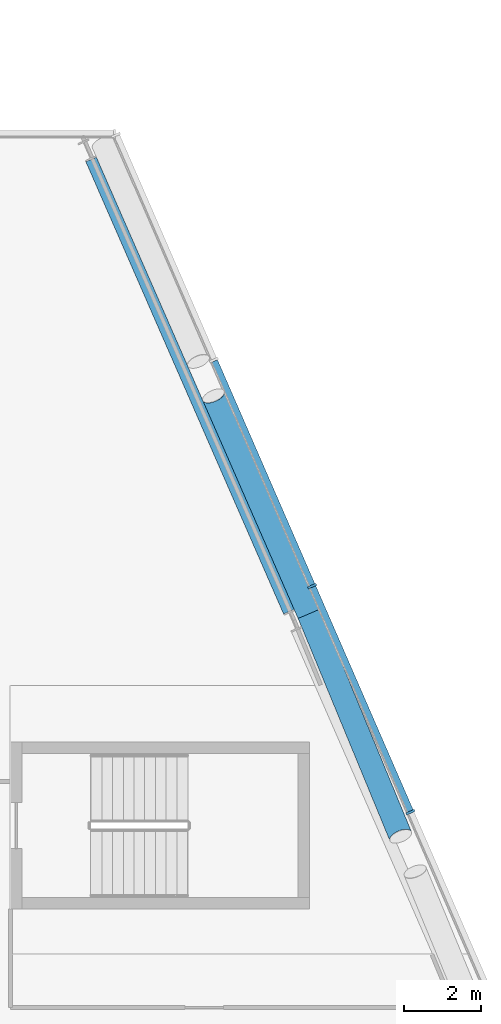
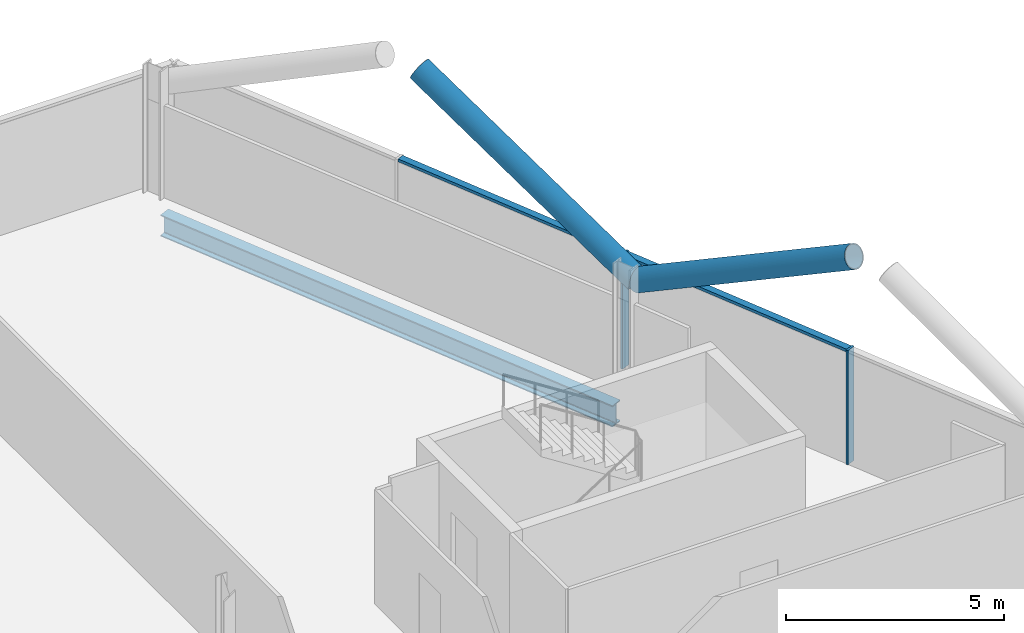
# One storey, part 9 of 26: 6 members, 1 beam, 1 element without a shape of its own.
"""IFC4 building model written with IfcOpenShell, lengths in metres."""

from ifc_helpers import new_model, si_unit, direction, frame, origin, origin_2d, place, context, subcontext, project, spatial, rectangle, hollow_circle, i_section, extrude, material, material_profile, profile_set, type_object, element, aggregate, save


model = new_model("IFC4")

# Units and contexts
model_context = context("Model", 3, precision=1e-05, world=origin(), true_north=direction((0.0, 1.0)))
body_context = subcontext(model_context, "Body", "Model", "MODEL_VIEW")
ifc_project = project(units=[si_unit("LENGTHUNIT", "METRE"), si_unit("AREAUNIT", "SQUARE_METRE"), si_unit("VOLUMEUNIT", "CUBIC_METRE"), si_unit("PLANEANGLEUNIT", "RADIAN"), si_unit("MASSUNIT", "GRAM", prefix="KILO")], contexts=[model_context])

# Site, building, storey
site_placement = place(None, origin())
site = spatial("IfcSite", under=ifc_project, at=site_placement, CompositionType="ELEMENT")
building_placement = place(site_placement, origin())
building = spatial("IfcBuilding", under=site, at=building_placement, Name="Wharfspan Tower", CompositionType="ELEMENT")
storey_placement = place(building_placement, frame((0.0, 0.0, 217.899902)))
storey = spatial("IfcBuildingStorey", under=building, at=storey_placement, Name="L54", CompositionType="ELEMENT", Elevation=217.899902)

# Beam
ifc_material_1 = material(Name="Steel S355J2", Category="steel")
ifc_material_profile_1 = material_profile(ifc_material_1, i_section(OverallWidth=0.300049, OverallDepth=0.600098, WebThickness=0.015381, FlangeThickness=0.030029, FilletRadius=0.0271, at=origin_2d()))
ifc_profile_set_1 = profile_set([ifc_material_profile_1], Name="Steel S355J2")
beam_type = type_object("IfcBeamType", Name="Edge beam HEB 600", PredefinedType="SPANDREL", material=ifc_profile_set_1)
beam_placement = place(storey_placement, frame((74.13208, 29.53125, -0.699951), z_axis=(-0.400619, 0.916245, 0.0), x_axis=(-0.916245, -0.400619, 0.0)))
element("IfcBeam", 1, at=beam_placement, inside=storey, type_object=beam_type, Name="Edge beam E L54 PE.2 to PE.3", PredefinedType="SPANDREL", context=body_context, shape_type="SweptSolid", body=[
    extrude(i_section(OverallWidth=0.300049, OverallDepth=0.600098, WebThickness=0.015381, FlangeThickness=0.030029, FilletRadius=0.0271, at=origin_2d()), origin(), (0.0, 0.0, 1.0), 12.883545),
])

# Curtain wall, members
ifc_material_2 = material(Name="Aluminium 6063-T6", Category="aluminium")
curtain_wall_type = type_object("IfcCurtainWallType", Name="CURTAIN WALL PROW AND END", PredefinedType="NOTDEFINED", material=ifc_material_2)
curtain_wall_placement = place(storey_placement, origin())
curtain_wall = element("IfcCurtainWall", 2, at=curtain_wall_placement, inside=storey, type_object=curtain_wall_type, Name="Curtain wall E", PredefinedType="NOTDEFINED")
ifc_material_profile_2 = material_profile(ifc_material_2, rectangle(XDim=0.23999, YDim=0.060059, at=origin_2d()))
ifc_profile_set_2 = profile_set([ifc_material_profile_2], Name="Aluminium 6063-T6")
member_type_1 = type_object("IfcMemberType", Name="MULLION PROW AND END 60x240", PredefinedType="MULLION", material=ifc_profile_set_2)
member_1_placement = place(storey_placement, frame((77.304443, 24.300049, 0.0), z_axis=(0.0, 0.0, 1.0), x_axis=(-0.917072, -0.398727, 0.0)))
member_1 = element("IfcMember", 3, at=member_1_placement, type_object=member_type_1, Name="Curtain wall E mullion 4", PredefinedType="MULLION", context=body_context, shape_type="SweptSolid", body=[
    extrude(rectangle(XDim=0.23999, YDim=0.060059, at=origin_2d()), origin(), (0.0, 0.0, 1.0), 3.200195),
])
member_2_placement = place(storey_placement, frame((74.739014, 30.199951, 0.0), z_axis=(0.0, 0.0, 1.0), x_axis=(-0.917072, -0.398727, 0.0)))
member_2 = element("IfcMember", 4, at=member_2_placement, type_object=member_type_1, Name="Curtain wall E mullion 5", PredefinedType="MULLION", context=body_context, shape_type="SweptSolid", body=[
    extrude(rectangle(XDim=0.23999, YDim=0.060059, at=origin_2d()), origin(), (0.0, 0.0, 1.0), 3.200195),
])

# Members
ifc_material_3 = material(Name="Steel S460NH", Category="steel")
ifc_material_profile_3 = material_profile(ifc_material_3, hollow_circle(Radius=0.304932, WallThickness=0.024902, at=origin_2d()))
ifc_profile_set_3 = profile_set([ifc_material_profile_3], Name="Steel S460NH")
member_type_2 = type_object("IfcMemberType", Name="Mega brace CHS 610x25", PredefinedType="BRACE", material=ifc_profile_set_3)
member_3_placement = place(storey_placement, frame((74.652588, 29.476318, 2.900146), z_axis=(0.337038, -0.81638, 0.468967), x_axis=(0.924329, 0.381603, -2e-06)))
element("IfcMember", 5, at=member_3_placement, inside=storey, type_object=member_type_2, Name="Mega brace E5 L55 part 3", PredefinedType="BRACE", context=body_context, shape_type="SweptSolid", body=[
    extrude(hollow_circle(Radius=0.304932, WallThickness=0.024902, at=origin_2d()), origin(), (0.0, 0.0, 1.0), 7.106201),
])
member_4_placement = place(storey_placement, frame((74.652588, 29.476318, 2.900146), z_axis=(-0.352889, 0.807113, 0.473327), x_axis=(-0.916248, -0.400606, 1e-06)))
element("IfcMember", 6, at=member_4_placement, inside=storey, type_object=member_type_2, Name="Mega brace E6 L55 part 1", PredefinedType="BRACE", context=body_context, shape_type="SweptSolid", body=[
    extrude(hollow_circle(Radius=0.304932, WallThickness=0.024902, at=origin_2d()), origin(), (0.0, 0.0, 1.0), 7.042236),
])

# Member
ifc_material_profile_4 = material_profile(ifc_material_2, rectangle(XDim=0.179932, YDim=0.080078, at=origin_2d()))
ifc_profile_set_4 = profile_set([ifc_material_profile_4], Name="Aluminium 6063-T6")
member_type_3 = type_object("IfcMemberType", Name="TRANSOM PROW AND END 80x180", PredefinedType="USERDEFINED", material=ifc_profile_set_4)
member_5_placement = place(storey_placement, frame((77.29248, 24.327393, 3.160156), z_axis=(-0.39874, 0.917064, 0.0), x_axis=(-0.917064, -0.39874, 0.0)))
member_5 = element("IfcMember", 7, at=member_5_placement, type_object=member_type_3, Name="Curtain wall E transom 4", ObjectType="TRANSOM", PredefinedType="USERDEFINED", context=body_context, shape_type="SweptSolid", body=[
    extrude(rectangle(XDim=0.179932, YDim=0.080078, at=origin_2d()), origin(), (0.0, 0.0, 1.0), 6.373779),
])

member_6_placement = place(storey_placement, frame((74.727051, 30.227539, 3.160156), z_axis=(-0.398722, 0.917072, 0.0), x_axis=(-0.917072, -0.398722, 0.0)))
member_6 = element("IfcMember", 8, at=member_6_placement, type_object=member_type_3, Name="Curtain wall E transom 5", ObjectType="TRANSOM", PredefinedType="USERDEFINED", context=body_context, shape_type="SweptSolid", body=[
    extrude(rectangle(XDim=0.179932, YDim=0.080078, at=origin_2d()), origin(), (0.0, 0.0, 1.0), 6.373535),
])

aggregate(curtain_wall, [member_1, member_2, member_5, member_6])

save(model, "model.ifc")
